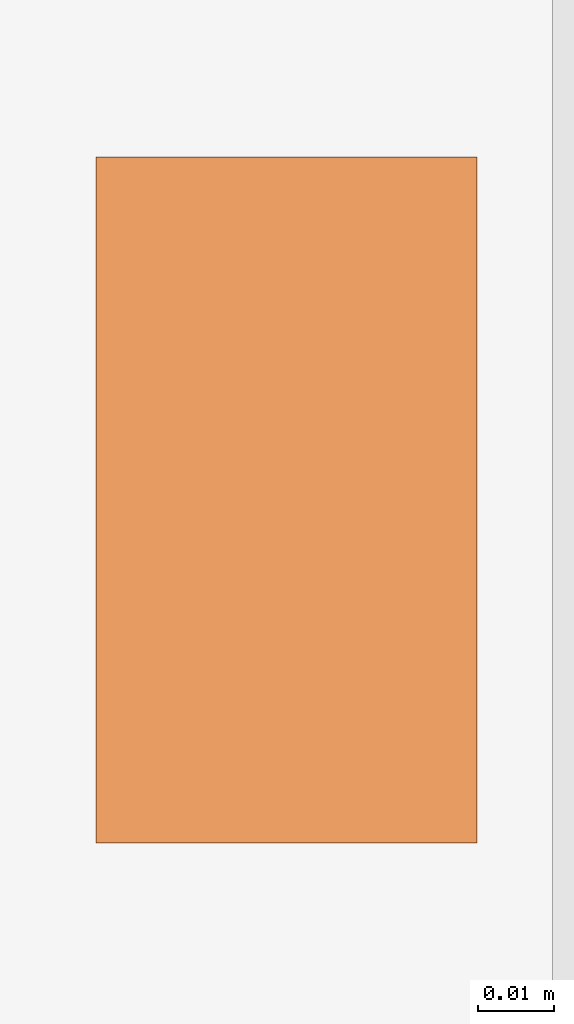
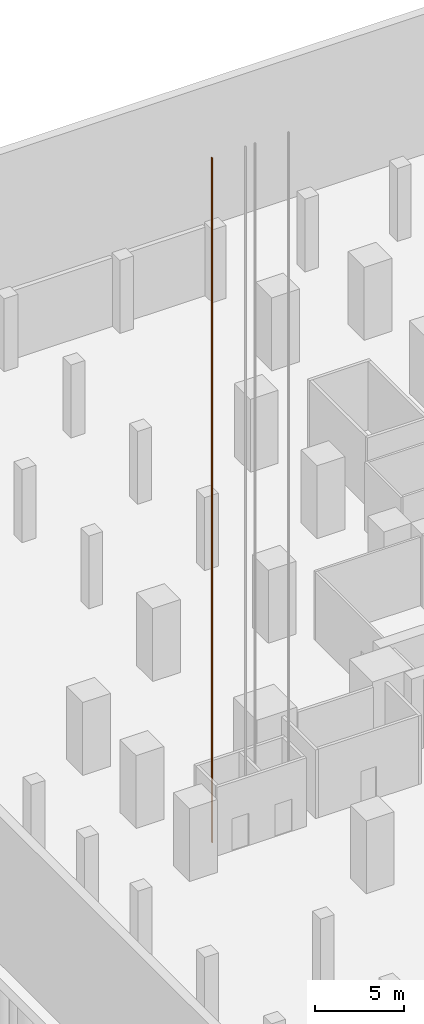
# One storey, part 24 of 31: 1 proxy.
"""IFC4 building model written with IfcOpenShell, lengths in metres."""

from ifc_helpers import new_model, si_unit, direction, frame, origin, origin_2d, place, context, subcontext, project, spatial, rectangle, extrude, material, element, save


model = new_model("IFC4")

# Units and contexts
model_context = context("Model", 3, precision=1e-05, world=origin(), true_north=direction((0.0, 1.0)))
body_context = subcontext(model_context, "Body", "Model", "MODEL_VIEW")
ifc_project = project(units=[si_unit("LENGTHUNIT", "METRE"), si_unit("AREAUNIT", "SQUARE_METRE"), si_unit("VOLUMEUNIT", "CUBIC_METRE"), si_unit("PLANEANGLEUNIT", "RADIAN"), si_unit("MASSUNIT", "GRAM", prefix="KILO")], contexts=[model_context])

# Site, building, storey
site_placement = place(None, origin())
site = spatial("IfcSite", under=ifc_project, at=site_placement, CompositionType="ELEMENT")
building_placement = place(site_placement, origin())
building = spatial("IfcBuilding", under=site, at=building_placement, Name="Mizan Broadcast Tower", CompositionType="ELEMENT")
storey_placement = place(building_placement, frame((0.0, 0.0, -10.0)))
storey = spatial("IfcBuildingStorey", under=building, at=storey_placement, Name="B2", CompositionType="ELEMENT", Elevation=-10.0)

# Proxy
ifc_material = material(Name="Steel guide rail", Category="steel")
proxy_placement = place(storey_placement, frame((-32.885009765625, -4.199951171875, 0.0), z_axis=(0.0, 0.0, 1.0), x_axis=(1.0, 0.0, 0.0)))
element("IfcBuildingElementProxy", 1, at=proxy_placement, inside=storey, material=ifc_material, Name="Guide rail PL2-1", PredefinedType="NOTDEFINED", context=body_context, shape_type="SweptSolid", body=[
    extrude(rectangle(XDim=0.050048828125, YDim=0.090087890625, at=origin_2d()), origin(), (0.0, 0.0, 1.0), 46.949951171875),
])

save(model, "model.ifc")
